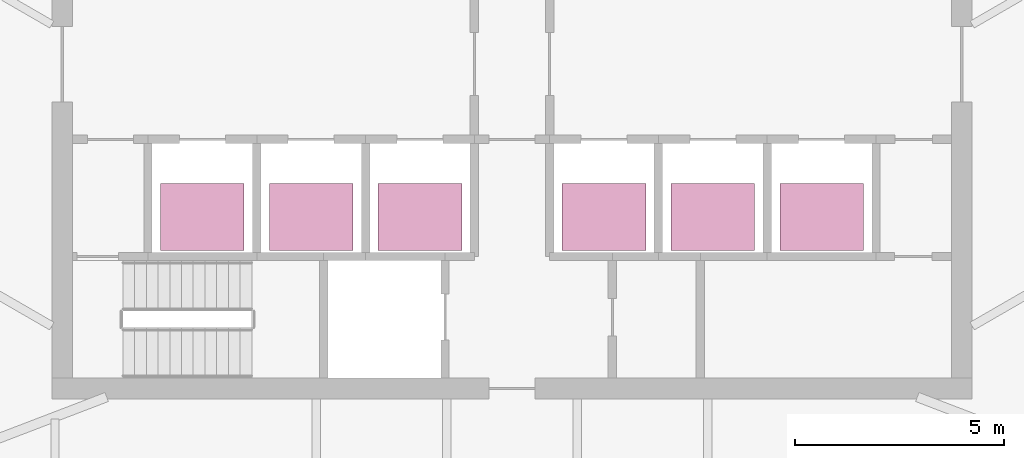
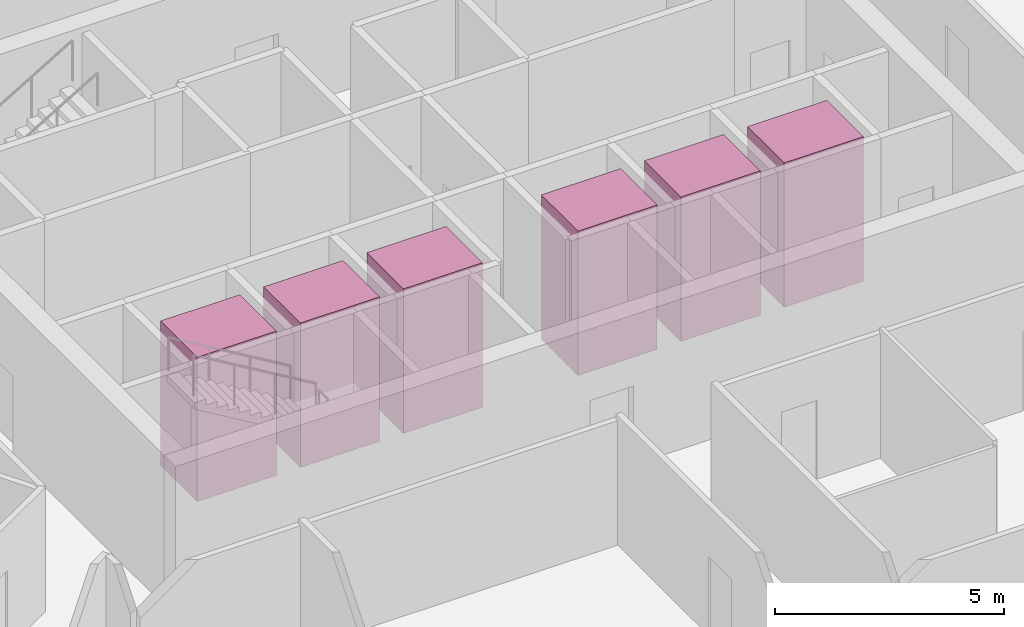
# One storey, part 18 of 18: 6 transport elements.
"""IFC4 building model written with IfcOpenShell, lengths in metres."""

from ifc_helpers import new_model, si_unit, direction, frame, origin, origin_2d, place, context, subcontext, project, spatial, rectangle, extrude, material, type_object, element, save


model = new_model("IFC4")

# Units and contexts
model_context = context("Model", 3, precision=1e-05, world=origin(), true_north=direction((0.0, 1.0)))
body_context = subcontext(model_context, "Body", "Model", "MODEL_VIEW")
ifc_project = project(units=[si_unit("LENGTHUNIT", "METRE"), si_unit("AREAUNIT", "SQUARE_METRE"), si_unit("VOLUMEUNIT", "CUBIC_METRE"), si_unit("PLANEANGLEUNIT", "RADIAN"), si_unit("MASSUNIT", "GRAM", prefix="KILO")], contexts=[model_context])

# Site, building, storey
site_placement = place(None, origin())
site = spatial("IfcSite", under=ifc_project, at=site_placement, CompositionType="ELEMENT")
building_placement = place(site_placement, origin())
building = spatial("IfcBuilding", under=site, at=building_placement, Name="Sierra Prisma Convention Tower", CompositionType="ELEMENT")
storey_placement = place(building_placement, frame((0.0, 0.0, 247.0)))
storey = spatial("IfcBuildingStorey", under=building, at=storey_placement, Name="L55", CompositionType="ELEMENT", Elevation=247.0)

# Transport elements
ifc_material = material(Name="Stainless steel", Category="steel")
transport_element_type = type_object("IfcTransportElementType", Name="Lift car office high 2000x1600 1600 kg", PredefinedType="ELEVATOR", material=ifc_material)
for number, where, z_axis, x_axis, name in (
    (1, (-7.39990234375, -3.64990234375, 0.0), (0.0, 0.0, 1.0), (1.0, 0.0, 0.0), "Lift OH1"),
    (2, (-4.800048828125, -3.64990234375, 0.0), (0.0, 0.0, 1.0), (1.0, 0.0, 0.0), "Lift OH2"),
    (3, (-2.199951171875, -3.64990234375, 0.0), (0.0, 0.0, 1.0), (1.0, 0.0, 0.0), "Lift OH3"),
    (4, (2.199951171875, -3.64990234375, 0.0), (0.0, 0.0, 1.0), (1.0, 0.0, 0.0), "Lift OH4"),
    (5, (4.800048828125, -3.64990234375, 0.0), (0.0, 0.0, 1.0), (1.0, 0.0, 0.0), "Lift OH5"),
    (6, (7.39990234375, -3.64990234375, 0.0), (0.0, 0.0, 1.0), (1.0, 0.0, 0.0), "Lift OH6"),
):
    element("IfcTransportElement", number, at=place(storey_placement, frame(where, z_axis=z_axis, x_axis=x_axis)), inside=storey, type_object=transport_element_type, Name=name, PredefinedType="ELEVATOR", context=body_context, shape_type="SweptSolid", body=[
        extrude(rectangle(XDim=2.0, YDim=1.60009765625, at=origin_2d()), origin(), (0.0, 0.0, 1.0), 3.85009765625),
    ])

save(model, "model.ifc")
